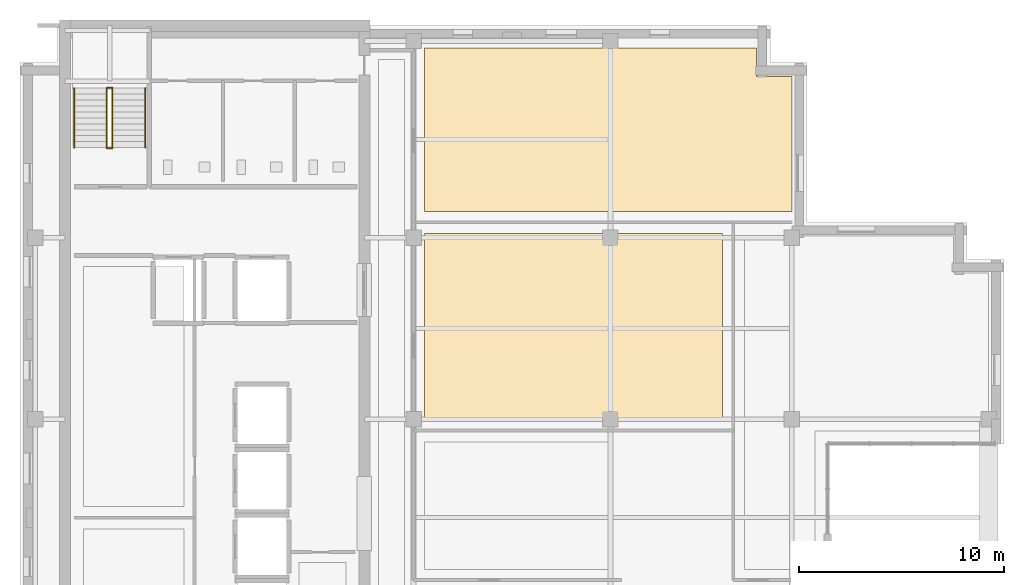
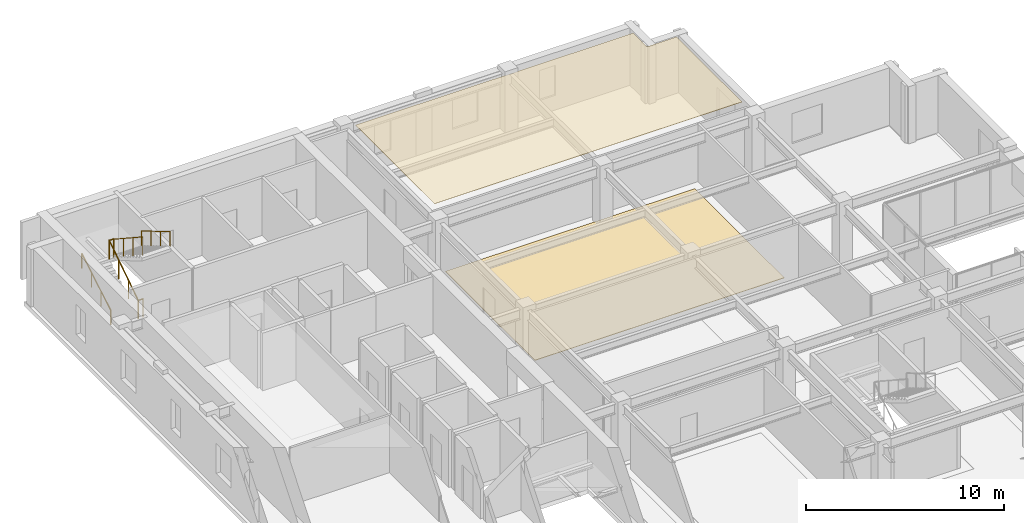
# One storey, part 10 of 11: 6 railings, 2 coverings.
"""IFC4 building model written with IfcOpenShell, lengths in metres."""

from ifc_helpers import new_model, si_unit, direction, frame, origin, origin_2d, place, context, subcontext, project, spatial, polyline, circle, outline, extrude, material, layer, layer_set, type_object, element, save


model = new_model("IFC4")

# Units and contexts
model_context = context("Model", 3, precision=1e-05, world=origin(), true_north=direction((0.0, 1.0)))
body_context = subcontext(model_context, "Body", "Model", "MODEL_VIEW")
ifc_project = project(units=[si_unit("LENGTHUNIT", "METRE"), si_unit("AREAUNIT", "SQUARE_METRE"), si_unit("VOLUMEUNIT", "CUBIC_METRE"), si_unit("PLANEANGLEUNIT", "RADIAN"), si_unit("MASSUNIT", "GRAM", prefix="KILO")], contexts=[model_context])

# Site, building, storey
site_placement = place(None, origin())
site = spatial("IfcSite", under=ifc_project, at=site_placement, CompositionType="ELEMENT")
building_placement = place(site_placement, origin())
building = spatial("IfcBuilding", under=site, at=building_placement, Name="Norrvale University Quadrangle", CompositionType="ELEMENT")
storey_placement = place(building_placement, frame((0.0, 0.0, 281.0)))
storey = spatial("IfcBuildingStorey", under=building, at=storey_placement, Name="L71", CompositionType="ELEMENT", Elevation=281.0)

# Coverings
ifc_material_1 = material(Name="Perforated Acoustic Mineral Ceiling")
ifc_layer_1 = layer(ifc_material_1, 0.02490234375, Name="Perforated Acoustic Mineral Ceiling")
ifc_layer_set_1 = layer_set([ifc_layer_1], Name="Perforated Acoustic Mineral Ceiling")
covering_type_1 = type_object("IfcCoveringType", Name="Covering Acoustic Ceiling 25", PredefinedType="CEILING", material=ifc_layer_set_1)
covering_1_placement = place(storey_placement, frame((0.0, 0.0, 3.514892578125)))
element("IfcCovering", 1, at=covering_1_placement, inside=storey, type_object=covering_type_1, Name="Acoustic Ceiling RM-L71-NE01", PredefinedType="CEILING", context=body_context, shape_type="SweptSolid", body=[
    extrude(outline(polyline([(37.64990234375, 38.929931640625), (19.72998046875, 38.929931640625), (19.72998046875, 46.919921875), (35.929931640625, 46.919921875), (35.929931640625, 45.530029296875), (37.64990234375, 45.530029296875), (37.64990234375, 38.929931640625)])), origin(), (0.0, 0.0, 1.0), 0.025146484375),
])
ifc_material_2 = material(Name="Polished Terrazzo Flooring")
ifc_layer_2 = layer(ifc_material_2, 0.02490234375, Name="Polished Terrazzo Flooring")
ifc_layer_set_2 = layer_set([ifc_layer_2], Name="Polished Terrazzo Flooring")
covering_type_2 = type_object("IfcCoveringType", Name="Covering Terrazzo Floor 30", PredefinedType="FLOORING", material=ifc_layer_set_2)
covering_2_placement = place(storey_placement, origin())
element("IfcCovering", 2, at=covering_2_placement, inside=storey, type_object=covering_type_2, Name="Terrazzo Flooring RM-L71-MEN", PredefinedType="FLOORING", context=body_context, shape_type="SweptSolid", body=[
    extrude(outline(polyline([(19.72998046875, 28.800048828125), (19.72998046875, 37.85009765625), (34.27001953125, 37.85009765625), (34.27001953125, 28.800048828125), (19.72998046875, 28.800048828125)])), origin(), (0.0, 0.0, 1.0), 0.02490234375),
])

# Railings
ifc_material_3 = material(Name="Steel 350W Painted Balustrade", Category="steel")
railing_type_1 = type_object("IfcRailingType", Name="Railing Stair Guard 1100", PredefinedType="GUARDRAIL", material=ifc_material_3)
for number, where, name in (
    (3, (4.239990234375, 42.02001953125, 0.0), "Stair Floor Well Guard ST-02 L71"),
    (4, (4.239990234375, 44.97998046875, 1.89990234375), "Stair Mid-Landing Slot Guard ST-02 L71"),
):
    element("IfcRailing", number, at=place(storey_placement, frame(where)), inside=storey, type_object=railing_type_1, Name=name, PredefinedType="GUARDRAIL", context=body_context, shape_type="SweptSolid", body=[
        extrude(circle(Radius=0.02392578125, at=origin_2d()), frame((0.0, 0.0, 1.1259765625), z_axis=(1.0, 0.0, 0.0), x_axis=(0.0, 1.0, 0.0)), (0.0, 0.0, 1.0), 0.27001953125),
        extrude(circle(Radius=0.02099609375, at=origin_2d()), origin(), (0.0, 0.0, 1.0), 1.101806640625),
        extrude(circle(Radius=0.02099609375, at=origin_2d()), frame((0.27001953125, 0.0, 0.0)), (0.0, 0.0, 1.0), 1.101806640625),
    ])
railing_1_placement = place(storey_placement, frame((4.239990234375, 42.050048828125, 0.0)))
element("IfcRailing", 5, at=railing_1_placement, inside=storey, type_object=railing_type_1, Name="Stair Lower Flight Inner Guard ST-02 L71", PredefinedType="GUARDRAIL", context=body_context, shape_type="SweptSolid", body=[
    extrude(circle(Radius=0.02392578125, at=origin_2d()), frame((0.0, 0.0, 1.1259765625), z_axis=(0.0, 0.836465582154, 0.548019461216), x_axis=(-1.0, 0.0, 0.0)), (0.0, 0.0, 1.0), 3.466796875),
    extrude(circle(Radius=0.02099609375, at=origin_2d()), origin(), (0.0, 0.0, 1.0), 1.101806640625),
    extrude(circle(Radius=0.02099609375, at=origin_2d()), frame((0.0, 0.966552734375, 0.63330078125)), (0.0, 0.0, 1.0), 1.101806640625),
    extrude(circle(Radius=0.02099609375, at=origin_2d()), frame((0.0, 1.933349609375, 1.2666015625)), (0.0, 0.0, 1.0), 1.101806640625),
    extrude(circle(Radius=0.02099609375, at=origin_2d()), frame((0.0, 2.89990234375, 1.89990234375)), (0.0, 0.0, 1.0), 1.101806640625),
])
railing_2_placement = place(storey_placement, frame((4.510009765625, 44.949951171875, 1.89990234375)))
element("IfcRailing", 6, at=railing_2_placement, inside=storey, type_object=railing_type_1, Name="Stair Upper Flight Inner Guard ST-02 L71", PredefinedType="GUARDRAIL", context=body_context, shape_type="SweptSolid", body=[
    extrude(circle(Radius=0.02392578125, at=origin_2d()), frame((0.0, 0.0, 1.1259765625), z_axis=(0.0, -0.836433300813, 0.548068730445), x_axis=(1.0, 0.0, 0.0)), (0.0, 0.0, 1.0), 3.467041015625),
    extrude(circle(Radius=0.02099609375, at=origin_2d()), origin(), (0.0, 0.0, 1.0), 1.101806640625),
    extrude(circle(Radius=0.02099609375, at=origin_2d()), frame((0.0, -0.966552734375, 0.63330078125)), (0.0, 0.0, 1.0), 1.101806640625),
    extrude(circle(Radius=0.02099609375, at=origin_2d()), frame((0.0, -1.933349609375, 1.266845703125)), (0.0, 0.0, 1.0), 1.101806640625),
    extrude(circle(Radius=0.02099609375, at=origin_2d()), frame((0.0, -2.89990234375, 1.900146484375)), (0.0, 0.0, 1.0), 1.101806640625),
])
ifc_material_4 = material(Name="Stainless Steel 316L Handrail", Category="steel")
railing_type_2 = type_object("IfcRailingType", Name="Railing Stair Handrail 920", PredefinedType="HANDRAIL", material=ifc_material_4)
railing_3_placement = place(storey_placement, frame((2.639892578125, 42.050048828125, 0.172607421875)))
element("IfcRailing", 7, at=railing_3_placement, inside=storey, type_object=railing_type_2, Name="Stair Lower Flight Handrail ST-02 L71", PredefinedType="HANDRAIL", context=body_context, shape_type="SweptSolid", body=[
    extrude(circle(Radius=0.02392578125, at=origin_2d()), frame((0.0, 0.0, 0.89599609375), z_axis=(0.0, 0.859141464434, 0.511738159696), x_axis=(-1.0, 0.0, 0.0)), (0.0, 0.0, 1.0), 3.375244140625),
    extrude(circle(Radius=0.02099609375, at=origin_2d()), origin(), (0.0, 0.0, 1.0), 0.871826171875),
    extrude(circle(Radius=0.02099609375, at=origin_2d()), frame((0.0, 0.966552734375, 0.57568359375)), (0.0, 0.0, 1.0), 0.871826171875),
    extrude(circle(Radius=0.02099609375, at=origin_2d()), frame((0.0, 1.933349609375, 1.151611328125)), (0.0, 0.0, 1.0), 0.871826171875),
    extrude(circle(Radius=0.02099609375, at=origin_2d()), frame((0.0, 2.89990234375, 1.727294921875)), (0.0, 0.0, 1.0), 0.871826171875),
])
railing_4_placement = place(storey_placement, frame((6.110107421875, 44.949951171875, 2.07275390625)))
element("IfcRailing", 8, at=railing_4_placement, inside=storey, type_object=railing_type_2, Name="Stair Upper Flight Handrail ST-02 L71", PredefinedType="HANDRAIL", context=body_context, shape_type="SweptSolid", body=[
    extrude(circle(Radius=0.02392578125, at=origin_2d()), frame((0.0, 0.0, 0.89599609375), z_axis=(0.0, -0.859141464434, 0.511738159696), x_axis=(1.0, 0.0, 0.0)), (0.0, 0.0, 1.0), 3.375244140625),
    extrude(circle(Radius=0.02099609375, at=origin_2d()), origin(), (0.0, 0.0, 1.0), 0.871826171875),
    extrude(circle(Radius=0.02099609375, at=origin_2d()), frame((0.0, -0.966552734375, 0.57568359375)), (0.0, 0.0, 1.0), 0.871826171875),
    extrude(circle(Radius=0.02099609375, at=origin_2d()), frame((0.0, -1.933349609375, 1.151611328125)), (0.0, 0.0, 1.0), 0.871826171875),
    extrude(circle(Radius=0.02099609375, at=origin_2d()), frame((0.0, -2.89990234375, 1.727294921875)), (0.0, 0.0, 1.0), 0.871826171875),
])

save(model, "model.ifc")
